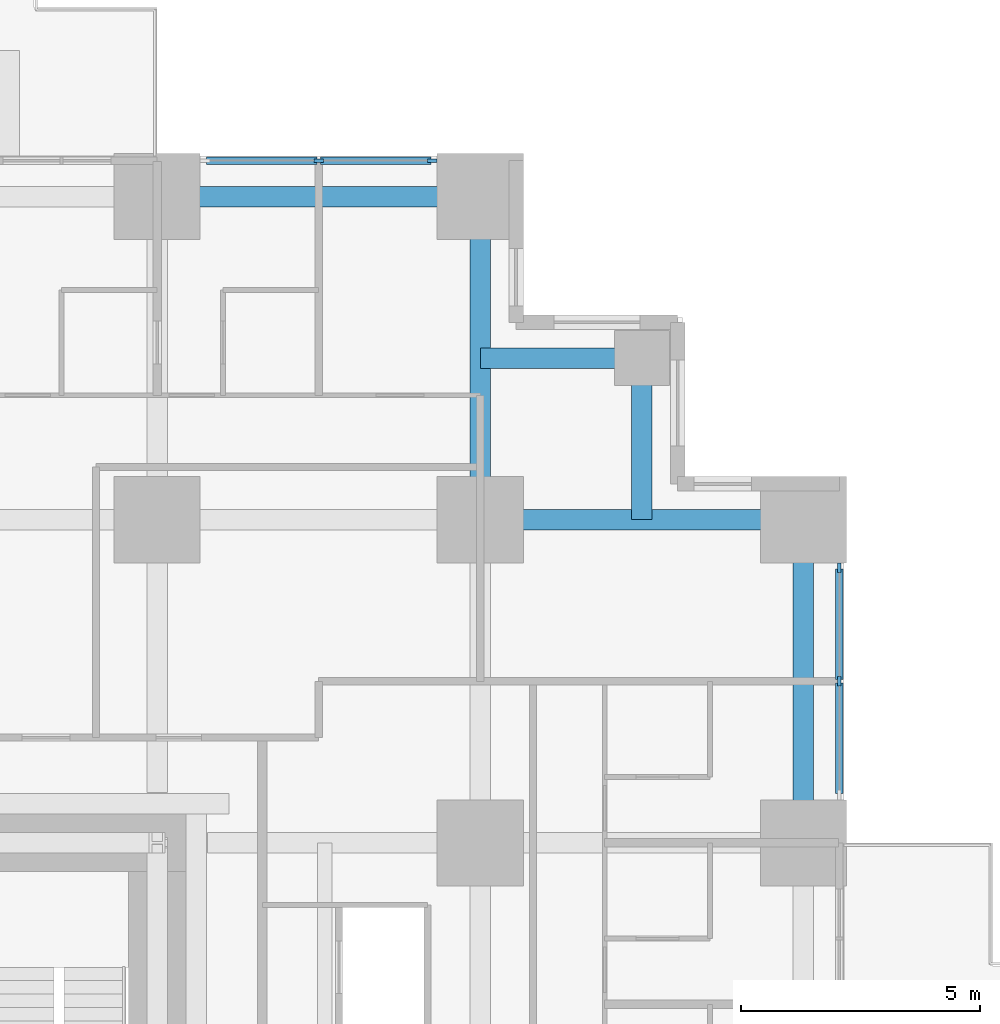
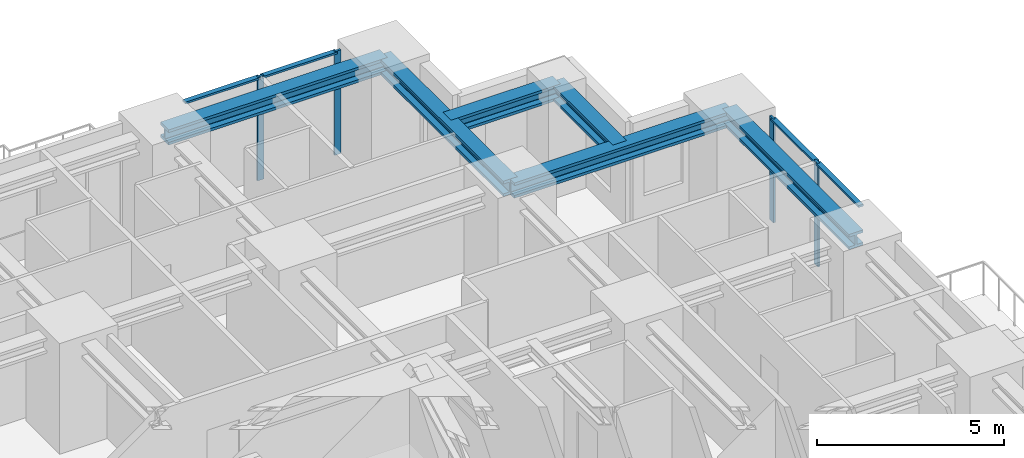
# One storey, part 6 of 14: 8 members, 6 beams, 2 elements without a shape of their own.
"""IFC4 building model written with IfcOpenShell, lengths in metres."""

from ifc_helpers import new_model, si_unit, direction, frame, origin, origin_2d, place, context, subcontext, project, spatial, rectangle, i_section, extrude, material, material_profile, profile_set, type_object, element, aggregate, save


model = new_model("IFC4")

# Units and contexts
model_context = context("Model", 3, precision=1e-05, world=origin(), true_north=direction((0.0, 1.0)))
body_context = subcontext(model_context, "Body", "Model", "MODEL_VIEW")
ifc_project = project(units=[si_unit("LENGTHUNIT", "METRE"), si_unit("AREAUNIT", "SQUARE_METRE"), si_unit("VOLUMEUNIT", "CUBIC_METRE"), si_unit("PLANEANGLEUNIT", "RADIAN"), si_unit("MASSUNIT", "GRAM", prefix="KILO")], contexts=[model_context])

# Site, building, storey
site_placement = place(None, origin())
site = spatial("IfcSite", under=ifc_project, at=site_placement, CompositionType="ELEMENT")
building_placement = place(site_placement, origin())
building = spatial("IfcBuilding", under=site, at=building_placement, Name="Nyansa Garden Tower", CompositionType="ELEMENT")
storey_placement = place(building_placement, frame((0.0, 0.0, 50.39990234375)))
storey = spatial("IfcBuildingStorey", under=building, at=storey_placement, Name="L13", CompositionType="ELEMENT", Elevation=50.39990234375)

# Curtain wall, members
ifc_material_1 = material(Name="Black anodised aluminium, dark tinted double glazing", Category="aluminium")
curtain_wall_type = type_object("IfcCurtainWallType", Name="Inner skin curtain wall ISW-A", PredefinedType="USERDEFINED", material=ifc_material_1)
curtain_wall_1_placement = place(storey_placement, origin())
curtain_wall_1 = element("IfcCurtainWall", 1, at=curtain_wall_1_placement, inside=storey, type_object=curtain_wall_type, Name="Inner skin curtain wall L13 E", ObjectType="UNITISED CURTAIN WALL", PredefinedType="USERDEFINED")
ifc_material_2 = material(Name="Black anodised aluminium", Category="aluminium")
ifc_material_profile_1 = material_profile(ifc_material_2, rectangle(XDim=0.06494140625, YDim=0.199951171875, at=origin_2d()), Name="Mullion 200x65")
ifc_profile_set_1 = profile_set([ifc_material_profile_1], Name="Black anodised aluminium")
member_type_1 = type_object("IfcMemberType", Name="Mullion ISW-A 200x65", PredefinedType="MULLION", material=ifc_profile_set_1)
member_1_placement = place(storey_placement, frame((41.25, 30.375, 0.0), z_axis=(0.0, 0.0, 1.0), x_axis=(-1.0, 0.0, 0.0)))
member_1 = element("IfcMember", 2, at=member_1_placement, type_object=member_type_1, Name="ISW-A mullion 2", PredefinedType="MULLION", context=body_context, shape_type="SweptSolid", body=[
    extrude(rectangle(XDim=0.06494140625, YDim=0.199951171875, at=origin_2d()), origin(), (0.0, 0.0, 1.0), 3.375),
])
member_2_placement = place(storey_placement, frame((41.25, 32.75, 0.0), z_axis=(0.0, 0.0, 1.0), x_axis=(-1.0, 0.0, 0.0)))
member_2 = element("IfcMember", 3, at=member_2_placement, type_object=member_type_1, Name="ISW-A mullion 3", PredefinedType="MULLION", context=body_context, shape_type="SweptSolid", body=[
    extrude(rectangle(XDim=0.06494140625, YDim=0.199951171875, at=origin_2d()), origin(), (0.0, 0.0, 1.0), 3.375),
])

curtain_wall_2_placement = place(storey_placement, origin())
curtain_wall_2 = element("IfcCurtainWall", 4, at=curtain_wall_2_placement, inside=storey, type_object=curtain_wall_type, Name="Inner skin curtain wall L13 N", ObjectType="UNITISED CURTAIN WALL", PredefinedType="USERDEFINED")
member_3_placement = place(storey_placement, frame((32.75, 41.25, 0.0), z_axis=(0.0, 0.0, 1.0), x_axis=(0.0, -1.0, 0.0)))
member_3 = element("IfcMember", 5, at=member_3_placement, type_object=member_type_1, Name="ISW-A mullion 1", PredefinedType="MULLION", context=body_context, shape_type="SweptSolid", body=[
    extrude(rectangle(XDim=0.06494140625, YDim=0.199951171875, at=origin_2d()), origin(), (0.0, 0.0, 1.0), 3.375),
])
member_4_placement = place(storey_placement, frame((30.375, 41.25, 0.0), z_axis=(0.0, 0.0, 1.0), x_axis=(0.0, -1.0, 0.0)))
member_4 = element("IfcMember", 6, at=member_4_placement, type_object=member_type_1, Name="ISW-A mullion 2", PredefinedType="MULLION", context=body_context, shape_type="SweptSolid", body=[
    extrude(rectangle(XDim=0.06494140625, YDim=0.199951171875, at=origin_2d()), origin(), (0.0, 0.0, 1.0), 3.375),
])

# Beams
ifc_material_3 = material(Name="Steel S355", Category="steel")
ifc_material_profile_2 = material_profile(ifc_material_3, i_section(OverallWidth=0.431884765625, OverallDepth=0.498046875, WebThickness=0.0556640625, FlangeThickness=0.0888671875, FilletRadius=0.014892578125, at=origin_2d()), Name="HD 400x744")
ifc_profile_set_2 = profile_set([ifc_material_profile_2], Name="Steel S355")
beam_type_1 = type_object("IfcBeamType", Name="Steel beam SBA1-744 HD 400x744", PredefinedType="BEAM", material=ifc_profile_set_2)
for number, where, z_axis, x_axis, name in (
    (7, (33.75, 33.75, 3.1259765625), (0.0, 1.0, 0.0), (-1.0, 0.0, 0.0), "Steel beam 7/J-7/K L14"),
    (8, (33.75, 33.75, 3.1259765625), (1.0, 0.0, 0.0), (0.0, 1.0, 0.0), "Steel beam 7/J-8/J L14"),
):
    element("IfcBeam", number, at=place(storey_placement, frame(where, z_axis=z_axis, x_axis=x_axis)), inside=storey, type_object=beam_type_1, Name=name, PredefinedType="BEAM", context=body_context, shape_type="SweptSolid", body=[
        extrude(i_section(OverallWidth=0.431884765625, OverallDepth=0.498046875, WebThickness=0.0556640625, FlangeThickness=0.0888671875, FilletRadius=0.014892578125, at=origin_2d()), origin(), (0.0, 0.0, 1.0), 6.75),
    ])
ifc_material_4 = material(Name="Steel S355", Category="steel")
ifc_material_profile_3 = material_profile(ifc_material_4, i_section(OverallWidth=0.431884765625, OverallDepth=0.498046875, WebThickness=0.0556640625, FlangeThickness=0.0888671875, FilletRadius=0.014892578125, at=origin_2d()), Name="HD 400x744")
ifc_profile_set_3 = profile_set([ifc_material_profile_3], Name="Steel S355")
beam_type_2 = type_object("IfcBeamType", Name="Steel beam SEBA-744 HD 400x744", PredefinedType="BEAM", material=ifc_profile_set_3)
for number, where, z_axis, x_axis, name in (
    (9, (27.0, 40.5, 3.1259765625), (1.0, 0.0, 0.0), (0.0, 1.0, 0.0), "Steel edge beam 6/K-7/K L14"),
    (10, (40.5, 27.0, 3.1259765625), (0.0, 1.0, 0.0), (-1.0, 0.0, 0.0), "Steel edge beam 8/H-8/J L14"),
):
    element("IfcBeam", number, at=place(storey_placement, frame(where, z_axis=z_axis, x_axis=x_axis)), inside=storey, type_object=beam_type_2, Name=name, PredefinedType="BEAM", context=body_context, shape_type="SweptSolid", body=[
        extrude(i_section(OverallWidth=0.431884765625, OverallDepth=0.498046875, WebThickness=0.0556640625, FlangeThickness=0.0888671875, FilletRadius=0.014892578125, at=origin_2d()), origin(), (0.0, 0.0, 1.0), 6.75),
    ])
ifc_material_5 = material(Name="Steel S355", Category="steel")
ifc_material_profile_4 = material_profile(ifc_material_5, i_section(OverallWidth=0.431884765625, OverallDepth=0.498046875, WebThickness=0.0556640625, FlangeThickness=0.0888671875, FilletRadius=0.014892578125, at=origin_2d()), Name="HD 400x744")
ifc_profile_set_4 = profile_set([ifc_material_profile_4], Name="Steel S355")
beam_type_3 = type_object("IfcBeamType", Name="Steel beam SSB1-744 HD 400x744", PredefinedType="BEAM", material=ifc_profile_set_4)
for number, where, z_axis, x_axis, name in (
    (11, (37.125, 37.125, 3.1259765625), (0.0, -1.0, 0.0), (1.0, 0.0, 0.0), "Steel step beam 37.125/37.125 L14"),
    (12, (37.125, 37.125, 3.1259765625), (-1.0, 0.0, 0.0), (0.0, -1.0, 0.0), "Steel step beam 37.125/37.125 L14"),
):
    element("IfcBeam", number, at=place(storey_placement, frame(where, z_axis=z_axis, x_axis=x_axis)), inside=storey, type_object=beam_type_3, Name=name, PredefinedType="BEAM", context=body_context, shape_type="SweptSolid", body=[
        extrude(i_section(OverallWidth=0.431884765625, OverallDepth=0.498046875, WebThickness=0.0556640625, FlangeThickness=0.0888671875, FilletRadius=0.014892578125, at=origin_2d()), origin(), (0.0, 0.0, 1.0), 3.375),
    ])

# Member
ifc_material_6 = material(Name="Black anodised aluminium", Category="aluminium")
ifc_material_profile_5 = material_profile(ifc_material_6, rectangle(XDim=0.14990234375, YDim=0.06494140625, at=origin_2d()), Name="Transom 150x65")
ifc_profile_set_5 = profile_set([ifc_material_profile_5], Name="Black anodised aluminium")
member_type_2 = type_object("IfcMemberType", Name="Transom ISW-A 150x65", PredefinedType="USERDEFINED", material=ifc_profile_set_5)
member_5_placement = place(storey_placement, frame((41.25, 28.032470703125, 3.342529296875), z_axis=(0.0, 1.0, 0.0), x_axis=(-1.0, 0.0, 0.0)))
member_5 = element("IfcMember", 13, at=member_5_placement, type_object=member_type_2, Name="ISW-A transom 1", ObjectType="TRANSOM", PredefinedType="USERDEFINED", context=body_context, shape_type="SweptSolid", body=[
    extrude(rectangle(XDim=0.14990234375, YDim=0.06494140625, at=origin_2d()), origin(), (0.0, 0.0, 1.0), 2.31005859375),
])

member_6_placement = place(storey_placement, frame((41.25, 30.407470703125, 3.342529296875), z_axis=(0.0, 1.0, 0.0), x_axis=(-1.0, 0.0, 0.0)))
member_6 = element("IfcMember", 14, at=member_6_placement, type_object=member_type_2, Name="ISW-A transom 2", ObjectType="TRANSOM", PredefinedType="USERDEFINED", context=body_context, shape_type="SweptSolid", body=[
    extrude(rectangle(XDim=0.14990234375, YDim=0.06494140625, at=origin_2d()), origin(), (0.0, 0.0, 1.0), 2.31005859375),
])

aggregate(curtain_wall_1, [member_1, member_2, member_5, member_6])

member_7_placement = place(storey_placement, frame((32.717529296875, 41.25, 3.342529296875), z_axis=(-1.0, 0.0, 0.0), x_axis=(0.0, -1.0, 0.0)))
member_7 = element("IfcMember", 15, at=member_7_placement, type_object=member_type_2, Name="ISW-A transom 1", ObjectType="TRANSOM", PredefinedType="USERDEFINED", context=body_context, shape_type="SweptSolid", body=[
    extrude(rectangle(XDim=0.14990234375, YDim=0.06494140625, at=origin_2d()), origin(), (0.0, 0.0, 1.0), 2.31005859375),
])

member_8_placement = place(storey_placement, frame((30.342529296875, 41.25, 3.342529296875), z_axis=(-1.0, 0.0, 0.0), x_axis=(0.0, -1.0, 0.0)))
member_8 = element("IfcMember", 16, at=member_8_placement, type_object=member_type_2, Name="ISW-A transom 2", ObjectType="TRANSOM", PredefinedType="USERDEFINED", context=body_context, shape_type="SweptSolid", body=[
    extrude(rectangle(XDim=0.14990234375, YDim=0.06494140625, at=origin_2d()), origin(), (0.0, 0.0, 1.0), 2.31005859375),
])

aggregate(curtain_wall_2, [member_3, member_4, member_7, member_8])

save(model, "model.ifc")
